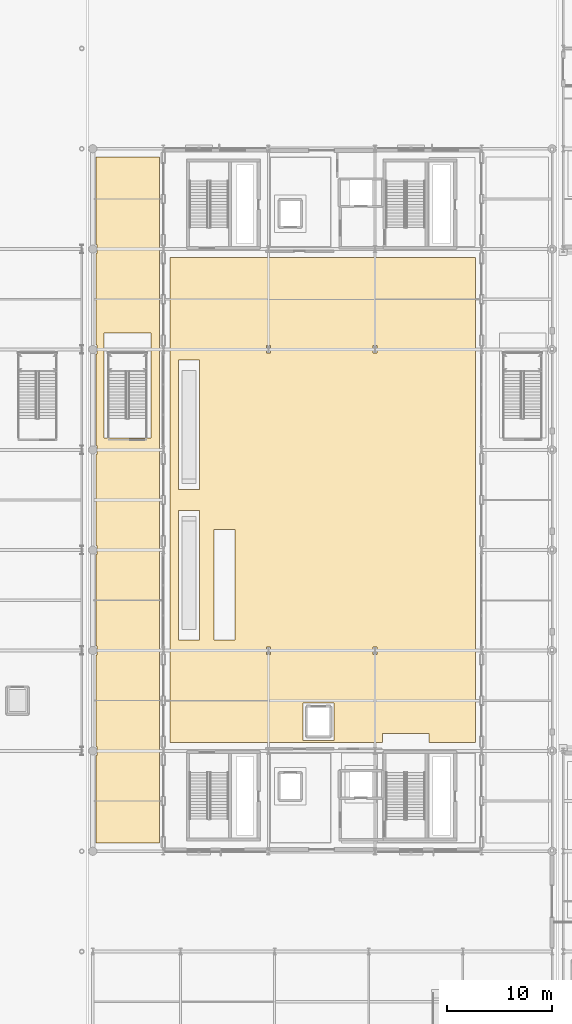
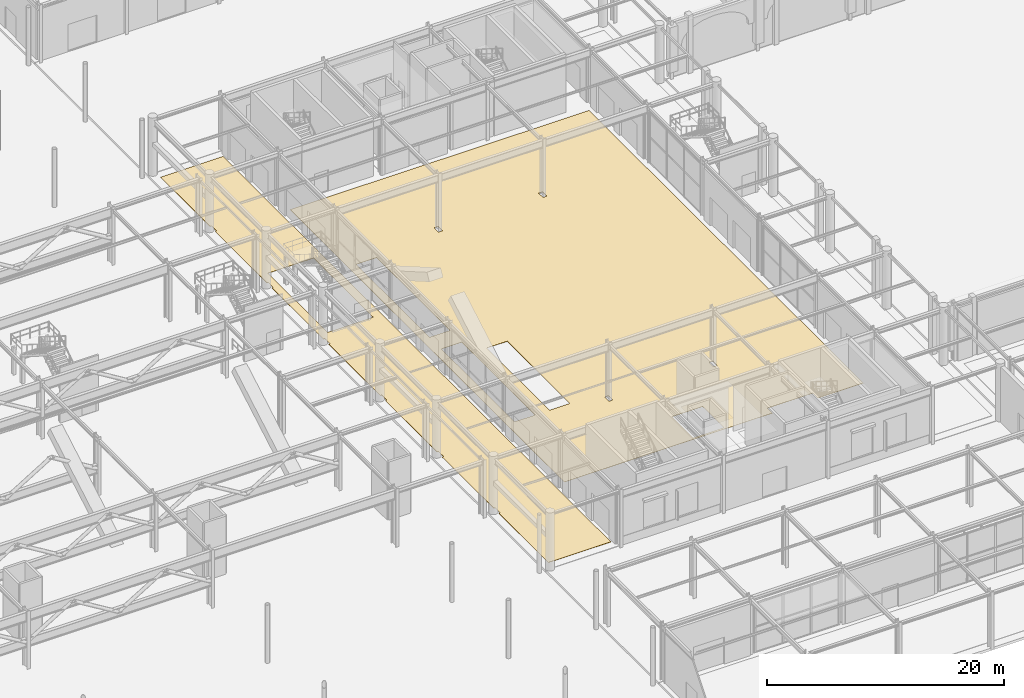
# One storey, part 84 of 113: 2 coverings.
"""IFC4 building model written with IfcOpenShell, lengths in metres."""

from ifc_helpers import new_model, si_unit, direction, origin, place, context, subcontext, project, spatial, polyline, outline, extrude, material, layer, layer_set, type_object, element, save


model = new_model("IFC4")

# Units and contexts
model_context = context("Model", 3, precision=1e-05, world=origin(), true_north=direction((0.0, 1.0)))
body_context = subcontext(model_context, "Body", "Model", "MODEL_VIEW")
ifc_project = project(units=[si_unit("LENGTHUNIT", "METRE"), si_unit("AREAUNIT", "SQUARE_METRE"), si_unit("VOLUMEUNIT", "CUBIC_METRE"), si_unit("PLANEANGLEUNIT", "RADIAN"), si_unit("MASSUNIT", "GRAM", prefix="KILO")], contexts=[model_context])

# Site, building, storey
site_placement = place(None, origin())
site = spatial("IfcSite", under=ifc_project, at=site_placement, CompositionType="ELEMENT")
building_placement = place(site_placement, origin())
building = spatial("IfcBuilding", under=site, at=building_placement, Name="Myrtia Square Station", CompositionType="ELEMENT")
storey_placement = place(building_placement, origin())
storey = spatial("IfcBuildingStorey", under=building, at=storey_placement, Name="L00", CompositionType="ELEMENT", Elevation=0.0)

# Coverings
ifc_material = material(Name="Terrazzo stone tile", Category="masonry")
ifc_layer = layer(ifc_material, 0.02490234375, Name="Terrazzo stone tile")
ifc_layer_set = layer_set([ifc_layer], Name="Terrazzo stone tile")
covering_type = type_object("IfcCoveringType", Name="COV-FLR-TERRAZZO", PredefinedType="FLOORING", material=ifc_layer_set)
covering_1_placement = place(storey_placement, origin())
element("IfcCovering", 1, at=covering_1_placement, inside=storey, type_object=covering_type, Name="Terrazzo concourse flooring L00-01", PredefinedType="FLOORING", context=body_context, shape_type="SweptSolid", body=[
    extrude(outline(polyline([(80.0, 85.60009765625), (109.199951171875, 85.60009765625), (109.199951171875, 39.199951171875), (104.760009765625, 39.199951171875), (104.760009765625, 40.050048828125), (100.300048828125, 40.050048828125), (100.300048828125, 39.199951171875), (80.0, 39.199951171875), (80.0, 85.60009765625)]), holes=[polyline([(95.699951171875, 43.0), (92.699951171875, 43.0), (92.699951171875, 39.39990234375), (95.699951171875, 39.39990234375), (95.699951171875, 43.0)]), polyline([(99.7900390625, 47.639892578125), (99.7900390625, 48.360107421875), (99.409912109375, 48.360107421875), (99.409912109375, 47.639892578125), (99.7900390625, 47.639892578125)]), polyline([(89.590087890625, 47.639892578125), (89.590087890625, 48.360107421875), (89.2099609375, 48.360107421875), (89.2099609375, 47.639892578125), (89.590087890625, 47.639892578125)]), polyline([(86.199951171875, 49.0), (86.199951171875, 59.60009765625), (84.199951171875, 59.60009765625), (84.199951171875, 49.0), (86.199951171875, 49.0)]), polyline([(82.800048828125, 61.39990234375), (80.800048828125, 61.39990234375), (80.800048828125, 49.0), (82.800048828125, 49.0), (82.800048828125, 61.39990234375)]), polyline([(82.800048828125, 75.800048828125), (80.800048828125, 75.800048828125), (80.800048828125, 63.39990234375), (82.800048828125, 63.39990234375), (82.800048828125, 75.800048828125)]), polyline([(89.590087890625, 76.43994140625), (89.590087890625, 77.159912109375), (89.2099609375, 77.159912109375), (89.2099609375, 76.43994140625), (89.590087890625, 76.43994140625)]), polyline([(99.7900390625, 77.159912109375), (99.409912109375, 77.159912109375), (99.409912109375, 76.43994140625), (99.7900390625, 76.43994140625), (99.7900390625, 77.159912109375)])]), origin(), (0.0, 0.0, 1.0), 0.02490234375),
])
covering_2_placement = place(storey_placement, origin())
element("IfcCovering", 2, at=covering_2_placement, inside=storey, type_object=covering_type, Name="Terrazzo concourse flooring L00-02", PredefinedType="FLOORING", context=body_context, shape_type="SweptSolid", body=[
    extrude(outline(polyline([(72.89990234375, 37.969970703125), (73.030029296875, 37.969970703125), (73.030029296875, 38.830078125), (72.89990234375, 38.830078125), (72.89990234375, 47.570068359375), (73.030029296875, 47.570068359375), (73.030029296875, 48.429931640625), (72.89990234375, 48.429931640625), (72.89990234375, 57.169921875), (73.030029296875, 57.169921875), (73.030029296875, 58.030029296875), (72.89990234375, 58.030029296875), (72.89990234375, 66.77001953125), (73.030029296875, 66.77001953125), (73.030029296875, 67.6298828125), (72.89990234375, 67.6298828125), (72.89990234375, 76.3701171875), (73.030029296875, 76.3701171875), (73.030029296875, 77.22998046875), (72.89990234375, 77.22998046875), (72.89990234375, 85.969970703125), (73.030029296875, 85.969970703125), (73.030029296875, 86.830078125), (72.89990234375, 86.830078125), (72.89990234375, 95.199951171875), (79.0, 95.199951171875), (79.0, 29.60009765625), (72.89990234375, 29.60009765625), (72.89990234375, 37.969970703125)]), holes=[polyline([(78.14990234375, 68.330078125), (78.14990234375, 78.39990234375), (73.68994140625, 78.39990234375), (73.68994140625, 68.330078125), (78.14990234375, 68.330078125)])]), origin(), (0.0, 0.0, 1.0), 0.02490234375),
])

save(model, "model.ifc")
